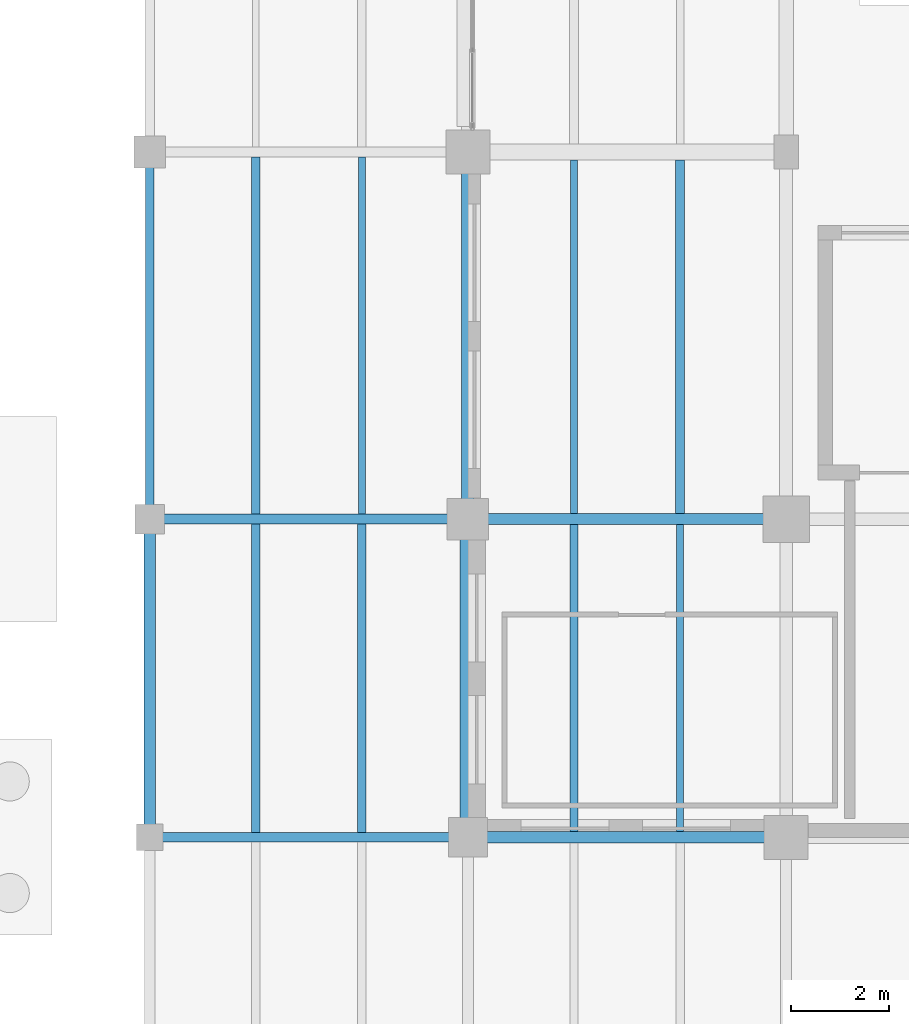
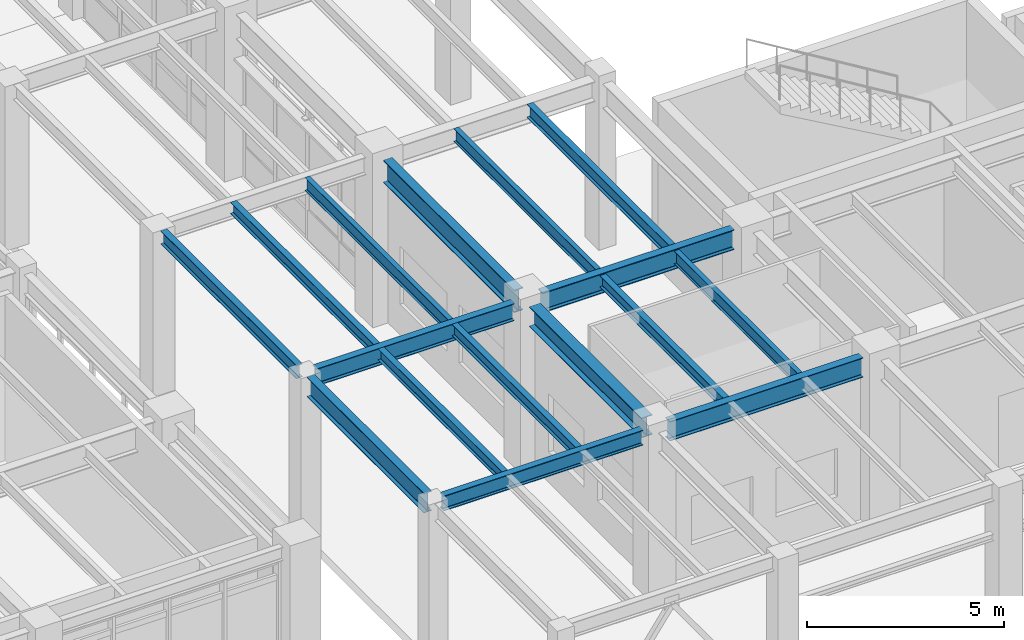
# One storey, part 33 of 203: 16 beams.
"""IFC4 building model written with IfcOpenShell, lengths in metres."""

from ifc_helpers import new_model, si_unit, direction, frame, origin, origin_2d, place, context, subcontext, project, spatial, i_section, extrude, material, material_profile, profile_set, type_object, element, save


model = new_model("IFC4")

# Units and contexts
model_context = context("Model", 3, precision=1e-05, world=origin(), true_north=direction((0.0, 1.0)))
body_context = subcontext(model_context, "Body", "Model", "MODEL_VIEW")
ifc_project = project(units=[si_unit("LENGTHUNIT", "METRE"), si_unit("AREAUNIT", "SQUARE_METRE"), si_unit("VOLUMEUNIT", "CUBIC_METRE"), si_unit("PLANEANGLEUNIT", "RADIAN"), si_unit("MASSUNIT", "GRAM", prefix="KILO"), si_unit("THERMODYNAMICTEMPERATUREUNIT", "KELVIN"), si_unit("POWERUNIT", "WATT")], contexts=[model_context])

# Site, building, storey
site_placement = place(None, origin())
site = spatial("IfcSite", under=ifc_project, at=site_placement, CompositionType="ELEMENT")
building_placement = place(site_placement, origin())
building = spatial("IfcBuilding", under=site, at=building_placement, Name="Tepalcoro Natatorium and Aquatics Centre", CompositionType="ELEMENT")
storey_placement = place(building_placement, origin())
storey = spatial("IfcBuildingStorey", under=building, at=storey_placement, Name="L00", CompositionType="ELEMENT", Elevation=0.0)

# Beams
ifc_material = material(Name="Steel ASTM A992 Grade 50 (Fy 345 MPa)", Category="steel")
ifc_material_profile_1 = material_profile(ifc_material, i_section(OverallWidth=0.193115234375, OverallDepth=0.467041015625, WebThickness=0.010986328125, FlangeThickness=0.01904296875, FilletRadius=0.013916015625, at=origin_2d()), Name="W18X65")
ifc_profile_set_1 = profile_set([ifc_material_profile_1], Name="Steel ASTM A992 Grade 50 (Fy 345 MPa)")
beam_type_1 = type_object("IfcBeamType", Name="BM_W18x65", PredefinedType="BEAM", material=ifc_profile_set_1)
beam_1_placement = place(storey_placement, frame((40.260009765625, 6.5, 4.8515625), z_axis=(1.0, 0.0, 0.0), x_axis=(0.0, 1.0, 0.0)))
element("IfcBeam", 1, at=beam_1_placement, inside=storey, type_object=beam_type_1, Name="V1 L00 Grid Girder X", PredefinedType="BEAM", context=body_context, shape_type="SweptSolid", body=[
    extrude(i_section(OverallWidth=0.193115234375, OverallDepth=0.467041015625, WebThickness=0.010986328125, FlangeThickness=0.01904296875, FilletRadius=0.013916015625, at=origin_2d()), origin(), (0.0, 0.0, 1.0), 5.85498046875),
])
ifc_material_profile_2 = material_profile(ifc_material, i_section(OverallWidth=0.2099609375, OverallDepth=0.532958984375, WebThickness=0.010009765625, FlangeThickness=0.01611328125, FilletRadius=0.013916015625, at=origin_2d()), Name="W21X62")
ifc_profile_set_2 = profile_set([ifc_material_profile_2], Name="Steel ASTM A992 Grade 50 (Fy 345 MPa)")
beam_type_2 = type_object("IfcBeamType", Name="BM_W21x62", PredefinedType="BEAM", material=ifc_profile_set_2)
beam_2_placement = place(storey_placement, frame((40.284912109375, 13.0, 4.818603515625), z_axis=(1.0, 0.0, 0.0), x_axis=(0.0, 1.0, 0.0)))
element("IfcBeam", 2, at=beam_2_placement, inside=storey, type_object=beam_type_2, Name="V1 L00 Grid Girder X", PredefinedType="BEAM", context=body_context, shape_type="SweptSolid", body=[
    extrude(i_section(OverallWidth=0.2099609375, OverallDepth=0.532958984375, WebThickness=0.010009765625, FlangeThickness=0.01611328125, FilletRadius=0.013916015625, at=origin_2d()), origin(), (0.0, 0.0, 1.0), 5.80517578125),
])
ifc_material_profile_3 = material_profile(ifc_material, i_section(OverallWidth=0.324951171875, OverallDepth=0.616943359375, WebThickness=0.013916015625, FlangeThickness=0.02197265625, FilletRadius=0.013916015625, at=origin_2d()), Name="W24X117")
ifc_profile_set_3 = profile_set([ifc_material_profile_3], Name="Steel ASTM A992 Grade 50 (Fy 345 MPa)")
beam_type_3 = type_object("IfcBeamType", Name="BM_W24x117", PredefinedType="BEAM", material=ifc_profile_set_3)
beam_3_placement = place(storey_placement, frame((46.5, 6.885009765625, 4.776611328125), z_axis=(0.0, 1.0, 0.0), x_axis=(-1.0, 0.0, 0.0)))
element("IfcBeam", 3, at=beam_3_placement, inside=storey, type_object=beam_type_3, Name="V1 L00 Grid Girder Y", PredefinedType="BEAM", context=body_context, shape_type="SweptSolid", body=[
    extrude(i_section(OverallWidth=0.324951171875, OverallDepth=0.616943359375, WebThickness=0.013916015625, FlangeThickness=0.02197265625, FilletRadius=0.013916015625, at=origin_2d()), origin(), (0.0, 0.0, 1.0), 5.705078125),
])
ifc_material_profile_4 = material_profile(ifc_material, i_section(OverallWidth=0.22802734375, OverallDepth=0.60693359375, WebThickness=0.010986328125, FlangeThickness=0.01708984375, FilletRadius=0.013916015625, at=origin_2d()), Name="W24X76")
ifc_profile_set_4 = profile_set([ifc_material_profile_4], Name="Steel ASTM A992 Grade 50 (Fy 345 MPa)")
beam_type_4 = type_object("IfcBeamType", Name="BM_W24x76", PredefinedType="BEAM", material=ifc_profile_set_4)
beam_4_placement = place(storey_placement, frame((46.885009765625, 6.5, 4.781494140625), z_axis=(1.0, 0.0, 0.0), x_axis=(0.0, 1.0, 0.0)))
element("IfcBeam", 4, at=beam_4_placement, inside=storey, type_object=beam_type_4, Name="V1 L00 Grid Girder X", PredefinedType="BEAM", context=body_context, shape_type="SweptSolid", body=[
    extrude(i_section(OverallWidth=0.22802734375, OverallDepth=0.60693359375, WebThickness=0.010986328125, FlangeThickness=0.01708984375, FilletRadius=0.013916015625, at=origin_2d()), origin(), (0.0, 0.0, 1.0), 5.679931640625),
])
ifc_material_profile_5 = material_profile(ifc_material, i_section(OverallWidth=0.22998046875, OverallDepth=0.616943359375, WebThickness=0.012939453125, FlangeThickness=0.02197265625, FilletRadius=0.013916015625, at=origin_2d()), Name="W24X94")
ifc_profile_set_5 = profile_set([ifc_material_profile_5], Name="Steel ASTM A992 Grade 50 (Fy 345 MPa)")
beam_type_5 = type_object("IfcBeamType", Name="BM_W24x94", PredefinedType="BEAM", material=ifc_profile_set_5)
beam_5_placement = place(storey_placement, frame((46.909912109375, 13.0, 4.81640625), z_axis=(1.0, 0.0, 0.0), x_axis=(0.0, 1.0, 0.0)))
element("IfcBeam", 5, at=beam_5_placement, inside=storey, type_object=beam_type_5, Name="V1 L00 Grid Girder X", PredefinedType="BEAM", context=body_context, shape_type="SweptSolid", body=[
    extrude(i_section(OverallWidth=0.22998046875, OverallDepth=0.616943359375, WebThickness=0.012939453125, FlangeThickness=0.02197265625, FilletRadius=0.013916015625, at=origin_2d()), origin(), (0.0, 0.0, 1.0), 5.630126953125),
])
ifc_material_profile_6 = material_profile(ifc_material, i_section(OverallWidth=0.25390625, OverallDepth=0.700927734375, WebThickness=0.014892578125, FlangeThickness=0.028076171875, FilletRadius=0.013916015625, at=origin_2d()), Name="W27X129")
ifc_profile_set_6 = profile_set([ifc_material_profile_6], Name="Steel ASTM A992 Grade 50 (Fy 345 MPa)")
beam_type_6 = type_object("IfcBeamType", Name="BM_W27x129", PredefinedType="BEAM", material=ifc_profile_set_6)
beam_6_placement = place(storey_placement, frame((46.5, 13.409912109375, 4.734619140625), z_axis=(0.0, 1.0, 0.0), x_axis=(-1.0, 0.0, 0.0)))
element("IfcBeam", 6, at=beam_6_placement, inside=storey, type_object=beam_type_6, Name="V1 L00 Grid Girder Y", PredefinedType="BEAM", context=body_context, shape_type="SweptSolid", body=[
    extrude(i_section(OverallWidth=0.25390625, OverallDepth=0.700927734375, WebThickness=0.014892578125, FlangeThickness=0.028076171875, FilletRadius=0.013916015625, at=origin_2d()), origin(), (0.0, 0.0, 1.0), 6.655029296875),
])
ifc_material_profile_7 = material_profile(ifc_material, i_section(OverallWidth=0.1708984375, OverallDepth=0.35107421875, WebThickness=0.007080078125, FlangeThickness=0.010009765625, FilletRadius=0.013916015625, at=origin_2d()), Name="W14X30")
ifc_profile_set_7 = profile_set([ifc_material_profile_7], Name="Steel ASTM A992 Grade 50 (Fy 345 MPa)")
beam_type_7 = type_object("IfcBeamType", Name="JS_W14x30", PredefinedType="JOIST", material=ifc_profile_set_7)
beam_7_placement = place(storey_placement, frame((42.166748046875, 6.596435546875, 4.909423828125), z_axis=(0.0, 1.0, 0.0), x_axis=(-1.0, 0.0, 0.0)))
element("IfcBeam", 7, at=beam_7_placement, inside=storey, type_object=beam_type_7, Name="V1 L00 Floor Joist", PredefinedType="JOIST", context=body_context, shape_type="SweptSolid", body=[
    extrude(i_section(OverallWidth=0.1708984375, OverallDepth=0.35107421875, WebThickness=0.007080078125, FlangeThickness=0.010009765625, FilletRadius=0.013916015625, at=origin_2d()), origin(), (0.0, 0.0, 1.0), 6.298583984375),
])
ifc_material_profile_8 = material_profile(ifc_material, i_section(OverallWidth=0.172119140625, OverallDepth=0.35791015625, WebThickness=0.008056640625, FlangeThickness=0.012939453125, FilletRadius=0.013916015625, at=origin_2d()), Name="W14X38")
ifc_profile_set_8 = profile_set([ifc_material_profile_8], Name="Steel ASTM A992 Grade 50 (Fy 345 MPa)")
beam_type_8 = type_object("IfcBeamType", Name="JS_W14x38", PredefinedType="JOIST", material=ifc_profile_set_8)
beam_8_placement = place(storey_placement, frame((44.333251953125, 6.596435546875, 4.906005859375), z_axis=(0.0, 1.0, 0.0), x_axis=(-1.0, 0.0, 0.0)))
element("IfcBeam", 8, at=beam_8_placement, inside=storey, type_object=beam_type_8, Name="V1 L00 Floor Joist", PredefinedType="JOIST", context=body_context, shape_type="SweptSolid", body=[
    extrude(i_section(OverallWidth=0.172119140625, OverallDepth=0.35791015625, WebThickness=0.008056640625, FlangeThickness=0.012939453125, FilletRadius=0.013916015625, at=origin_2d()), origin(), (0.0, 0.0, 1.0), 6.298583984375),
])
beam_9_placement = place(storey_placement, frame((42.166748046875, 13.10498046875, 4.906005859375), z_axis=(0.0, 1.0, 0.0), x_axis=(-1.0, 0.0, 0.0)))
element("IfcBeam", 9, at=beam_9_placement, inside=storey, type_object=beam_type_8, Name="V1 L00 Floor Joist", PredefinedType="JOIST", context=body_context, shape_type="SweptSolid", body=[
    extrude(i_section(OverallWidth=0.172119140625, OverallDepth=0.35791015625, WebThickness=0.008056640625, FlangeThickness=0.012939453125, FilletRadius=0.013916015625, at=origin_2d()), origin(), (0.0, 0.0, 1.0), 7.2890625),
])
beam_10_placement = place(storey_placement, frame((48.666748046875, 6.614013671875, 4.906005859375), z_axis=(0.0, 1.0, 0.0), x_axis=(-1.0, 0.0, 0.0)))
element("IfcBeam", 10, at=beam_10_placement, inside=storey, type_object=beam_type_8, Name="V1 L00 Floor Joist", PredefinedType="JOIST", context=body_context, shape_type="SweptSolid", body=[
    extrude(i_section(OverallWidth=0.172119140625, OverallDepth=0.35791015625, WebThickness=0.008056640625, FlangeThickness=0.012939453125, FilletRadius=0.013916015625, at=origin_2d()), origin(), (0.0, 0.0, 1.0), 6.27099609375),
])
ifc_material_profile_9 = material_profile(ifc_material, i_section(OverallWidth=0.139892578125, OverallDepth=0.404052734375, WebThickness=0.007080078125, FlangeThickness=0.010986328125, FilletRadius=0.013916015625, at=origin_2d()), Name="W16X31")
ifc_profile_set_9 = profile_set([ifc_material_profile_9], Name="Steel ASTM A992 Grade 50 (Fy 345 MPa)")
beam_type_9 = type_object("IfcBeamType", Name="JS_W16x31", PredefinedType="JOIST", material=ifc_profile_set_9)
beam_11_placement = place(storey_placement, frame((44.333251953125, 13.10498046875, 4.883056640625), z_axis=(0.0, 1.0, 0.0), x_axis=(-1.0, 0.0, 0.0)))
element("IfcBeam", 11, at=beam_11_placement, inside=storey, type_object=beam_type_9, Name="V1 L00 Floor Joist", PredefinedType="JOIST", context=body_context, shape_type="SweptSolid", body=[
    extrude(i_section(OverallWidth=0.139892578125, OverallDepth=0.404052734375, WebThickness=0.007080078125, FlangeThickness=0.010986328125, FilletRadius=0.013916015625, at=origin_2d()), origin(), (0.0, 0.0, 1.0), 7.2890625),
])
beam_12_placement = place(storey_placement, frame((50.833251953125, 6.614013671875, 4.883056640625), z_axis=(0.0, 1.0, 0.0), x_axis=(-1.0, 0.0, 0.0)))
element("IfcBeam", 12, at=beam_12_placement, inside=storey, type_object=beam_type_9, Name="V1 L00 Floor Joist", PredefinedType="JOIST", context=body_context, shape_type="SweptSolid", body=[
    extrude(i_section(OverallWidth=0.139892578125, OverallDepth=0.404052734375, WebThickness=0.007080078125, FlangeThickness=0.010986328125, FilletRadius=0.013916015625, at=origin_2d()), origin(), (0.0, 0.0, 1.0), 6.27099609375),
])
beam_13_placement = place(storey_placement, frame((48.666748046875, 13.114990234375, 4.923095703125), z_axis=(0.0, 1.0, 0.0), x_axis=(-1.0, 0.0, 0.0)))
element("IfcBeam", 13, at=beam_13_placement, inside=storey, type_object=beam_type_9, Name="V1 L00 Floor Joist", PredefinedType="JOIST", context=body_context, shape_type="SweptSolid", body=[
    extrude(i_section(OverallWidth=0.139892578125, OverallDepth=0.404052734375, WebThickness=0.007080078125, FlangeThickness=0.010986328125, FilletRadius=0.013916015625, at=origin_2d()), origin(), (0.0, 0.0, 1.0), 7.222412109375),
])
ifc_material_profile_10 = material_profile(ifc_material, i_section(OverallWidth=0.178955078125, OverallDepth=0.409912109375, WebThickness=0.009033203125, FlangeThickness=0.013916015625, FilletRadius=0.013916015625, at=origin_2d()), Name="W16X45")
ifc_profile_set_10 = profile_set([ifc_material_profile_10], Name="Steel ASTM A992 Grade 50 (Fy 345 MPa)")
beam_type_10 = type_object("IfcBeamType", Name="JS_W16x45", PredefinedType="JOIST", material=ifc_profile_set_10)
beam_14_placement = place(storey_placement, frame((50.833251953125, 13.114990234375, 4.919921875), z_axis=(0.0, 1.0, 0.0), x_axis=(-1.0, 0.0, 0.0)))
element("IfcBeam", 14, at=beam_14_placement, inside=storey, type_object=beam_type_10, Name="V1 L00 Floor Joist", PredefinedType="JOIST", context=body_context, shape_type="SweptSolid", body=[
    extrude(i_section(OverallWidth=0.178955078125, OverallDepth=0.409912109375, WebThickness=0.009033203125, FlangeThickness=0.013916015625, FilletRadius=0.013916015625, at=origin_2d()), origin(), (0.0, 0.0, 1.0), 7.222412109375),
])
ifc_material_profile_11 = material_profile(ifc_material, i_section(OverallWidth=0.179931640625, OverallDepth=0.4130859375, WebThickness=0.010009765625, FlangeThickness=0.01611328125, FilletRadius=0.013916015625, at=origin_2d()), Name="W16X50")
ifc_profile_set_11 = profile_set([ifc_material_profile_11], Name="Steel ASTM A992 Grade 50 (Fy 345 MPa)")
beam_type_11 = type_object("IfcBeamType", Name="SP_HSS300x200x12", PredefinedType="SPANDREL", material=ifc_profile_set_11)
beam_15_placement = place(storey_placement, frame((40.0, 13.284912109375, 4.87841796875), z_axis=(0.0, 1.0, 0.0), x_axis=(-1.0, 0.0, 0.0)))
element("IfcBeam", 15, at=beam_15_placement, inside=storey, type_object=beam_type_11, Name="V1 L00 Grid Girder Y", PredefinedType="SPANDREL", context=body_context, shape_type="SweptSolid", body=[
    extrude(i_section(OverallWidth=0.179931640625, OverallDepth=0.4130859375, WebThickness=0.010009765625, FlangeThickness=0.01611328125, FilletRadius=0.013916015625, at=origin_2d()), origin(), (0.0, 0.0, 1.0), 6.905029296875),
])
ifc_material_profile_12 = material_profile(ifc_material, i_section(OverallWidth=0.22900390625, OverallDepth=0.612060546875, WebThickness=0.011962890625, FlangeThickness=0.02001953125, FilletRadius=0.013916015625, at=origin_2d()), Name="W24X84")
ifc_profile_set_12 = profile_set([ifc_material_profile_12], Name="Steel ASTM A992 Grade 50 (Fy 345 MPa)")
beam_type_12 = type_object("IfcBeamType", Name="SP_W24x84", PredefinedType="SPANDREL", material=ifc_profile_set_12)
beam_16_placement = place(storey_placement, frame((40.0, 6.760009765625, 4.779052734375), z_axis=(0.0, 1.0, 0.0), x_axis=(-1.0, 0.0, 0.0)))
element("IfcBeam", 16, at=beam_16_placement, inside=storey, type_object=beam_type_12, Name="V1 L00 Grid Girder Y", PredefinedType="SPANDREL", context=body_context, shape_type="SweptSolid", body=[
    extrude(i_section(OverallWidth=0.22900390625, OverallDepth=0.612060546875, WebThickness=0.011962890625, FlangeThickness=0.02001953125, FilletRadius=0.013916015625, at=origin_2d()), origin(), (0.0, 0.0, 1.0), 5.955078125),
])

save(model, "model.ifc")
